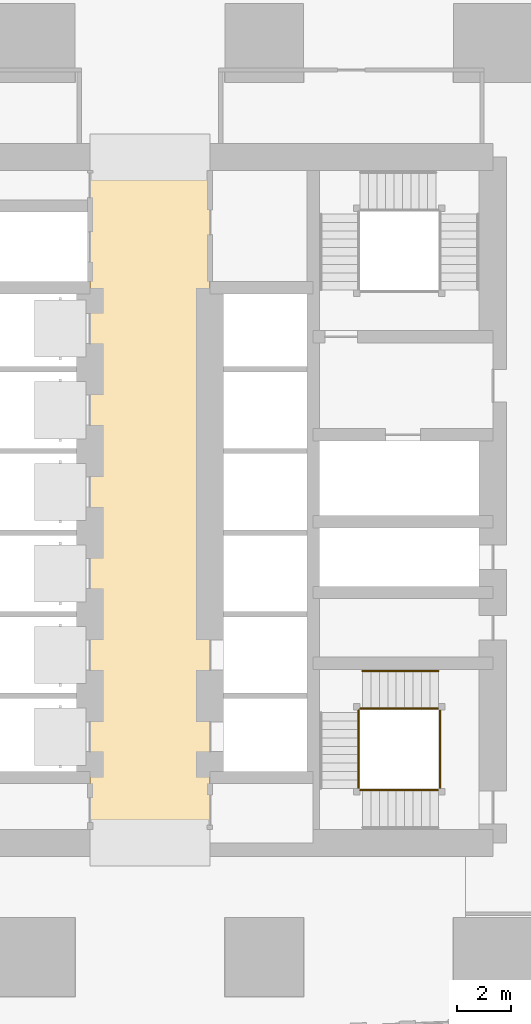
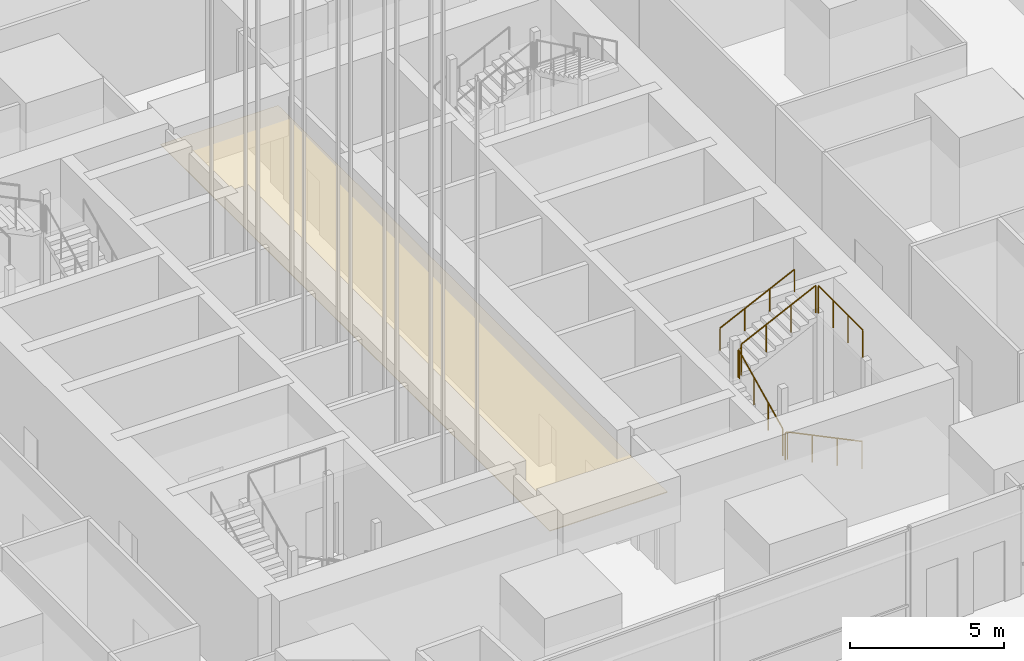
# One storey, part 26 of 44: 8 railings, 1 covering.
"""IFC4 building model written with IfcOpenShell, lengths in metres."""

from ifc_helpers import new_model, si_unit, direction, frame, origin, origin_2d, place, context, subcontext, project, spatial, polyline, circle, outline, extrude, material, layer, layer_set, type_object, element, save


model = new_model("IFC4")

# Units and contexts
model_context = context("Model", 3, precision=1e-05, world=origin(), true_north=direction((0.0, 1.0)))
body_context = subcontext(model_context, "Body", "Model", "MODEL_VIEW")
ifc_project = project(units=[si_unit("LENGTHUNIT", "METRE"), si_unit("AREAUNIT", "SQUARE_METRE"), si_unit("VOLUMEUNIT", "CUBIC_METRE"), si_unit("PLANEANGLEUNIT", "RADIAN"), si_unit("MASSUNIT", "GRAM", prefix="KILO")], contexts=[model_context])

# Site, building, storey
site_placement = place(None, origin())
site = spatial("IfcSite", under=ifc_project, at=site_placement, CompositionType="ELEMENT")
building_placement = place(site_placement, origin())
building = spatial("IfcBuilding", under=site, at=building_placement, Name="Rekha Terrace Tower", CompositionType="ELEMENT")
storey_placement = place(building_placement, frame((0.0, 0.0, 90.800048828125)))
storey = spatial("IfcBuildingStorey", under=building, at=storey_placement, Name="L22", CompositionType="ELEMENT", Elevation=90.800048828125)

# Covering
ifc_material_1 = material(Name="Powder-coated aluminium pan", Category="aluminium")
ifc_layer = layer(ifc_material_1, 0.030029296875)
ifc_layer_set = layer_set([ifc_layer], Name="Powder-coated aluminium pan")
covering_type = type_object("IfcCoveringType", Name="CL3 300x1200 metal pan ceiling", PredefinedType="CEILING", material=ifc_layer_set)
covering_placement = place(storey_placement, frame((0.0, 0.0, 3.320068359375)))
element("IfcCovering", 1, at=covering_placement, inside=storey, type_object=covering_type, Name="Ceiling L22-LOBBY", PredefinedType="CEILING", context=body_context, shape_type="SweptSolid", body=[
    extrude(outline(polyline([(40.0, 46.199951171875), (35.60009765625, 46.199951171875), (35.60009765625, 21.0), (40.0, 21.0), (40.0, 46.199951171875)])), origin(), (0.0, 0.0, 1.0), 0.02978515625),
])

# Railings
ifc_material_2 = material(Name="Stainless steel balustrade", Category="steel")
railing_type_1 = type_object("IfcRailingType", Name="GR1 1100 stair guard", PredefinedType="GUARDRAIL", material=ifc_material_2)
railing_1_placement = place(storey_placement, frame((48.39990234375, 22.93994140625, 0.14990234375)))
element("IfcRailing", 2, at=railing_1_placement, inside=storey, type_object=railing_type_1, Name="Guard ST3 L22 flight 1", PredefinedType="GUARDRAIL", context=body_context, shape_type="SweptSolid", body=[
    extrude(circle(Radius=0.02392578125, at=origin_2d()), frame((0.0, 0.0, 1.076171875), z_axis=(-0.900134342929, 0.0, 0.43561240189), x_axis=(0.0, -1.0, 0.0)), (0.0, 0.0, 1.0), 3.099365234375),
    extrude(circle(Radius=0.02099609375, at=origin_2d()), origin(), (0.0, 0.0, 1.0), 1.052001953125),
    extrude(circle(Radius=0.02099609375, at=origin_2d()), frame((-0.929931640625, 0.0, 0.449951171875)), (0.0, 0.0, 1.0), 1.052001953125),
    extrude(circle(Radius=0.02099609375, at=origin_2d()), frame((-1.85986328125, 0.0, 0.900146484375)), (0.0, 0.0, 1.0), 1.052001953125),
    extrude(circle(Radius=0.02099609375, at=origin_2d()), frame((-2.789794921875, 0.0, 1.35009765625)), (0.0, 0.0, 1.0), 1.052001953125),
])
railing_2_placement = place(storey_placement, frame((45.465087890625, 23.0, 1.64990234375)))
element("IfcRailing", 3, at=railing_2_placement, inside=storey, type_object=railing_type_1, Name="Guard ST3 L22 flight 2", PredefinedType="GUARDRAIL", context=body_context, shape_type="SweptSolid", body=[
    extrude(circle(Radius=0.02392578125, at=origin_2d()), frame((0.0, 0.0, 1.076171875), z_axis=(0.0, 0.90014928908, 0.43558151633), x_axis=(-1.0, 0.0, 0.0)), (0.0, 0.0, 1.0), 3.099609375),
    extrude(circle(Radius=0.02099609375, at=origin_2d()), origin(), (0.0, 0.0, 1.0), 1.052001953125),
    extrude(circle(Radius=0.02099609375, at=origin_2d()), frame((0.0, 0.929931640625, 0.449951171875)), (0.0, 0.0, 1.0), 1.052001953125),
    extrude(circle(Radius=0.02099609375, at=origin_2d()), frame((0.0, 1.860107421875, 0.900146484375)), (0.0, 0.0, 1.0), 1.052001953125),
    extrude(circle(Radius=0.02099609375, at=origin_2d()), frame((0.0, 2.7900390625, 1.35009765625)), (0.0, 0.0, 1.0), 1.052001953125),
])
railing_3_placement = place(storey_placement, frame((45.610107421875, 25.93505859375, 3.14990234375)))
element("IfcRailing", 4, at=railing_3_placement, inside=storey, type_object=railing_type_1, Name="Guard ST3 L22 flight 3", PredefinedType="GUARDRAIL", context=body_context, shape_type="SweptSolid", body=[
    extrude(circle(Radius=0.02392578125, at=origin_2d()), frame((0.0, 0.0, 1.076171875), z_axis=(0.900134342929, 0.0, 0.43561240189), x_axis=(0.0, 1.0, 0.0)), (0.0, 0.0, 1.0), 3.099365234375),
    extrude(circle(Radius=0.02099609375, at=origin_2d()), origin(), (0.0, 0.0, 1.0), 1.052001953125),
    extrude(circle(Radius=0.02099609375, at=origin_2d()), frame((0.929931640625, 0.0, 0.449951171875)), (0.0, 0.0, 1.0), 1.052001953125),
    extrude(circle(Radius=0.02099609375, at=origin_2d()), frame((1.85986328125, 0.0, 0.900146484375)), (0.0, 0.0, 1.0), 1.052001953125),
    extrude(circle(Radius=0.02099609375, at=origin_2d()), frame((2.789794921875, 0.0, 1.35009765625)), (0.0, 0.0, 1.0), 1.052001953125),
])
railing_4_placement = place(storey_placement, frame((45.610107421875, 22.93994140625, 1.5)))
element("IfcRailing", 5, at=railing_4_placement, inside=storey, type_object=railing_type_1, Name="Guard ST3 L22 landing 1", PredefinedType="GUARDRAIL", context=body_context, shape_type="SweptSolid", body=[
    extrude(circle(Radius=0.02392578125, at=origin_2d()), frame((0.0, 0.0, 1.076171875), z_axis=(-1.0, 0.0, 0.0), x_axis=(0.0, -1.0, 0.0)), (0.0, 0.0, 1.0), 0.085205078125),
    extrude(circle(Radius=0.02099609375, at=origin_2d()), origin(), (0.0, 0.0, 1.0), 1.052001953125),
    extrude(circle(Radius=0.02099609375, at=origin_2d()), frame((-0.085205078125, 0.0, 0.0)), (0.0, 0.0, 1.0), 1.052001953125),
])
railing_5_placement = place(storey_placement, frame((45.465087890625, 25.7900390625, 3.0)))
element("IfcRailing", 6, at=railing_5_placement, inside=storey, type_object=railing_type_1, Name="Guard ST3 L22 landing 2", PredefinedType="GUARDRAIL", context=body_context, shape_type="SweptSolid", body=[
    extrude(circle(Radius=0.02392578125, at=origin_2d()), frame((0.0, 0.0, 1.076171875), z_axis=(0.0, 1.0, 0.0), x_axis=(-1.0, 0.0, 0.0)), (0.0, 0.0, 1.0), 0.0849609375),
    extrude(circle(Radius=0.02099609375, at=origin_2d()), origin(), (0.0, 0.0, 1.0), 1.052001953125),
    extrude(circle(Radius=0.02099609375, at=origin_2d()), frame((0.0, 0.0849609375, 0.0)), (0.0, 0.0, 1.0), 1.052001953125),
])
railing_6_placement = place(storey_placement, frame((45.610107421875, 25.93505859375, 3.0)))
element("IfcRailing", 7, at=railing_6_placement, inside=storey, type_object=railing_type_1, Name="Guard ST3 L22 landing 3", PredefinedType="GUARDRAIL", context=body_context, shape_type="SweptSolid", body=[
    extrude(circle(Radius=0.02392578125, at=origin_2d()), frame((0.0, 0.0, 1.076171875), z_axis=(-1.0, 0.0, 0.0), x_axis=(0.0, -1.0, 0.0)), (0.0, 0.0, 1.0), 0.085205078125),
    extrude(circle(Radius=0.02099609375, at=origin_2d()), origin(), (0.0, 0.0, 1.0), 1.052001953125),
    extrude(circle(Radius=0.02099609375, at=origin_2d()), frame((-0.085205078125, 0.0, 0.0)), (0.0, 0.0, 1.0), 1.052001953125),
])
railing_7_placement = place(storey_placement, frame((48.4599609375, 23.0, 4.5)))
element("IfcRailing", 8, at=railing_7_placement, inside=storey, type_object=railing_type_1, Name="Guard ST3 L22 landing 4", PredefinedType="GUARDRAIL", context=body_context, shape_type="SweptSolid", body=[
    extrude(circle(Radius=0.02392578125, at=origin_2d()), frame((0.0, 0.0, 1.076171875), z_axis=(0.0, 1.0, 0.0), x_axis=(-1.0, 0.0, 0.0)), (0.0, 0.0, 1.0), 2.875),
    extrude(circle(Radius=0.02099609375, at=origin_2d()), origin(), (0.0, 0.0, 1.0), 1.052001953125),
    extrude(circle(Radius=0.02099609375, at=origin_2d()), frame((0.0, 0.958251953125, 0.0)), (0.0, 0.0, 1.0), 1.052001953125),
    extrude(circle(Radius=0.02099609375, at=origin_2d()), frame((0.0, 1.916748046875, 0.0)), (0.0, 0.0, 1.0), 1.052001953125),
    extrude(circle(Radius=0.02099609375, at=origin_2d()), frame((0.0, 2.875, 0.0)), (0.0, 0.0, 1.0), 1.052001953125),
])
ifc_material_3 = material(Name="Stainless steel tube", Category="steel")
railing_type_2 = type_object("IfcRailingType", Name="HR1 900 stair handrail", PredefinedType="HANDRAIL", material=ifc_material_3)
railing_8_placement = place(storey_placement, frame((45.610107421875, 27.31494140625, 3.14990234375)))
element("IfcRailing", 9, at=railing_8_placement, inside=storey, type_object=railing_type_2, Name="Handrail ST3 L22 flight 3", PredefinedType="HANDRAIL", context=body_context, shape_type="SweptSolid", body=[
    extrude(circle(Radius=0.02392578125, at=origin_2d()), frame((0.0, 0.0, 0.8759765625), z_axis=(0.900134342929, 0.0, 0.43561240189), x_axis=(0.0, 1.0, 0.0)), (0.0, 0.0, 1.0), 3.099365234375),
    extrude(circle(Radius=0.02099609375, at=origin_2d()), origin(), (0.0, 0.0, 1.0), 0.851806640625),
    extrude(circle(Radius=0.02099609375, at=origin_2d()), frame((0.929931640625, 0.0, 0.449951171875)), (0.0, 0.0, 1.0), 0.851806640625),
    extrude(circle(Radius=0.02099609375, at=origin_2d()), frame((1.85986328125, 0.0, 0.900146484375)), (0.0, 0.0, 1.0), 0.851806640625),
    extrude(circle(Radius=0.02099609375, at=origin_2d()), frame((2.789794921875, 0.0, 1.35009765625)), (0.0, 0.0, 1.0), 0.851806640625),
])

save(model, "model.ifc")
